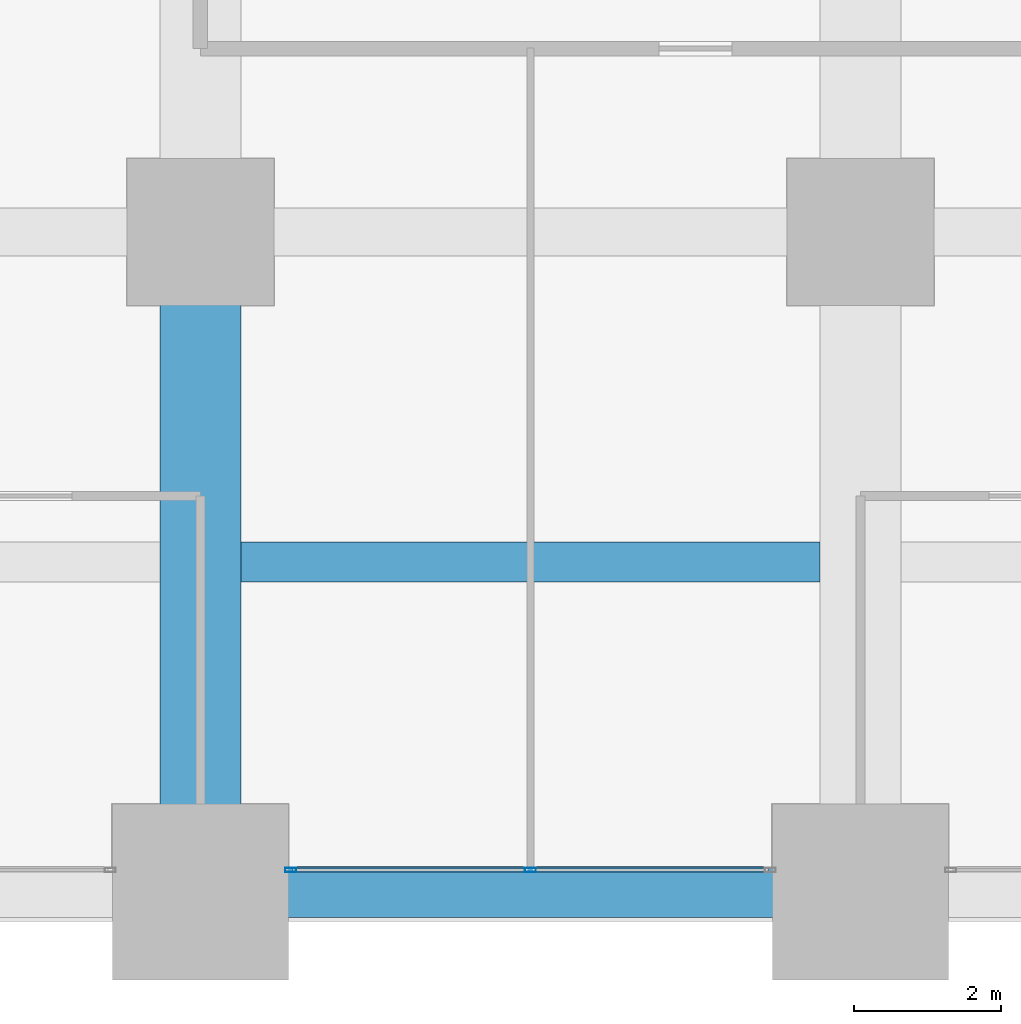
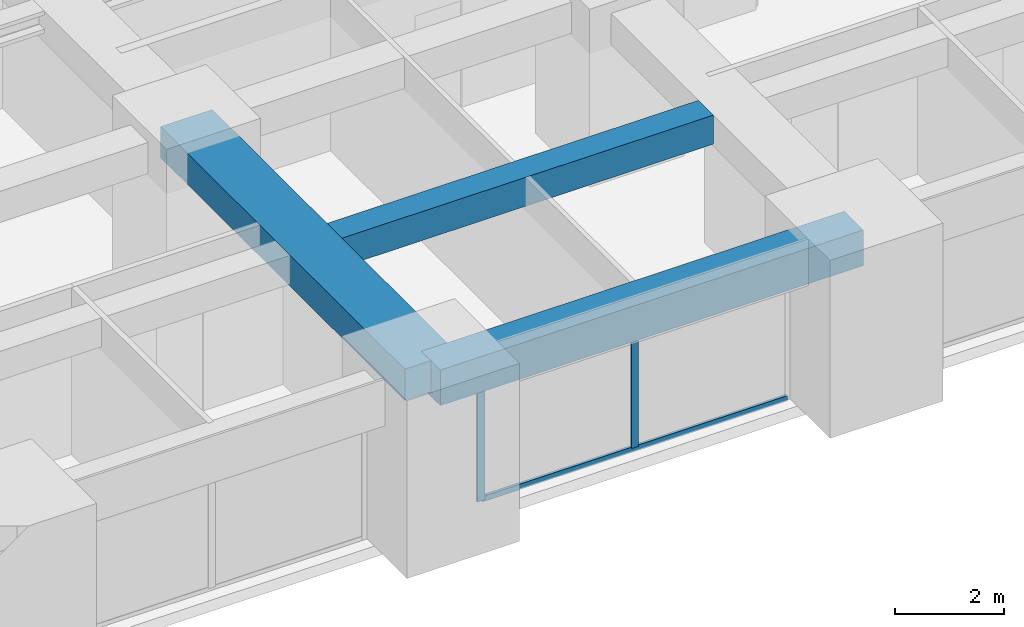
# One storey, part 7 of 41: 3 beams, 3 members, 1 element without a shape of its own.
"""IFC4 building model written with IfcOpenShell, lengths in metres."""

from ifc_helpers import new_model, si_unit, direction, frame, origin, origin_2d, place, context, subcontext, project, spatial, rectangle, hollow_rectangle, extrude, material, material_profile, profile_set, type_object, element, aggregate, save


model = new_model("IFC4")

# Units and contexts
model_context = context("Model", 3, precision=1e-05, world=origin(), true_north=direction((0.0, 1.0)))
body_context = subcontext(model_context, "Body", "Model", "MODEL_VIEW")
ifc_project = project(units=[si_unit("LENGTHUNIT", "METRE"), si_unit("AREAUNIT", "SQUARE_METRE"), si_unit("VOLUMEUNIT", "CUBIC_METRE"), si_unit("PLANEANGLEUNIT", "RADIAN"), si_unit("MASSUNIT", "GRAM", prefix="KILO")], contexts=[model_context])

# Site, building, storey
site_placement = place(None, origin())
site = spatial("IfcSite", under=ifc_project, at=site_placement, CompositionType="ELEMENT")
building_placement = place(site_placement, origin())
building = spatial("IfcBuilding", under=site, at=building_placement, Name="Zorevar Civic Tower", CompositionType="ELEMENT")
storey_placement = place(building_placement, frame((0.0, 0.0, 97.0)))
storey = spatial("IfcBuildingStorey", under=building, at=storey_placement, Name="L23", CompositionType="ELEMENT", Elevation=97.0)

# Beams
ifc_material_1 = material(Name="Concrete C50/60", Category="concrete")
ifc_material_profile_1 = material_profile(ifc_material_1, rectangle(XDim=1.10009765625, YDim=0.699951171875, at=origin_2d()), Name="RC 1100x700")
ifc_profile_set_1 = profile_set([ifc_material_profile_1], Name="Concrete C50/60")
beam_type_1 = type_object("IfcBeamType", Name="Beam RC 1100x700", PredefinedType="BEAM", material=ifc_profile_set_1)
beam_1_placement = place(storey_placement, frame((27.0, 0.0, 3.39990234375), z_axis=(0.0, 1.0, 0.0), x_axis=(-1.0, 0.0, 0.0)))
element("IfcBeam", 1, at=beam_1_placement, inside=storey, type_object=beam_type_1, Name="Girder L24", PredefinedType="BEAM", context=body_context, shape_type="SweptSolid", body=[
    extrude(rectangle(XDim=1.10009765625, YDim=0.699951171875, at=origin_2d()), origin(), (0.0, 0.0, 1.0), 9.0),
])
ifc_material_2 = material(Name="Concrete C50/60", Category="concrete")
ifc_material_profile_2 = material_profile(ifc_material_2, rectangle(XDim=0.550048828125, YDim=0.64990234375, at=origin_2d()), Name="RC 550x650")
ifc_profile_set_2 = profile_set([ifc_material_profile_2], Name="Concrete C50/60")
beam_type_2 = type_object("IfcBeamType", Name="Beam RC 550x650", PredefinedType="BEAM", material=ifc_profile_set_2)
beam_2_placement = place(storey_placement, frame((27.550048828125, 4.5, 3.425048828125), z_axis=(1.0, 0.0, 0.0), x_axis=(0.0, 1.0, 0.0)))
element("IfcBeam", 2, at=beam_2_placement, inside=storey, type_object=beam_type_2, Name="Secondary beam L24", PredefinedType="BEAM", context=body_context, shape_type="SweptSolid", body=[
    extrude(rectangle(XDim=0.550048828125, YDim=0.64990234375, at=origin_2d()), origin(), (0.0, 0.0, 1.0), 7.89990234375),
])

# Curtain wall, members
ifc_material_3 = material(Name="Dark grey solar-control glass in black aluminium frame", Category="aluminium")
curtain_wall_type = type_object("IfcCurtainWallType", Name="Curtain wall CW3 mid zone", PredefinedType="NOTDEFINED", material=ifc_material_3)
curtain_wall_placement = place(storey_placement, origin())
curtain_wall = element("IfcCurtainWall", 3, at=curtain_wall_placement, inside=storey, type_object=curtain_wall_type, Name="CW3 L23", PredefinedType="NOTDEFINED")
ifc_material_4 = material(Name="Aluminium, black anodised", Category="aluminium")
ifc_material_profile_3 = material_profile(ifc_material_4, hollow_rectangle(XDim=0.06005859375, YDim=0.14990234375, WallThickness=0.00390625, at=origin_2d()), Name="AL 150x60x4")
ifc_profile_set_3 = profile_set([ifc_material_profile_3], Name="Aluminium, black anodised")
member_type_1 = type_object("IfcMemberType", Name="CW3 mullion AL 150x60x4", PredefinedType="MULLION", material=ifc_profile_set_3)
member_1_placement = place(storey_placement, frame((28.22998046875, 0.300048828125, 0.0), z_axis=(0.0, 0.0, 1.0), x_axis=(0.0, 1.0, 0.0)))
member_1 = element("IfcMember", 4, at=member_1_placement, type_object=member_type_1, Name="CW3 mullion 1", PredefinedType="MULLION", context=body_context, shape_type="SweptSolid", body=[
    extrude(hollow_rectangle(XDim=0.06005859375, YDim=0.14990234375, WallThickness=0.00390625, at=origin_2d()), origin(), (0.0, 0.0, 1.0), 2.949951171875),
])
member_2_placement = place(storey_placement, frame((31.5, 0.300048828125, 0.06005859375), z_axis=(0.0, 0.0, 1.0), x_axis=(0.0, 1.0, 0.0)))
member_2 = element("IfcMember", 5, at=member_2_placement, type_object=member_type_1, Name="CW3 mullion 2", PredefinedType="MULLION", context=body_context, shape_type="SweptSolid", body=[
    extrude(hollow_rectangle(XDim=0.06005859375, YDim=0.14990234375, WallThickness=0.00390625, at=origin_2d()), origin(), (0.0, 0.0, 1.0), 2.889892578125),
])
ifc_material_5 = material(Name="Aluminium, black anodised", Category="aluminium")
ifc_material_profile_4 = material_profile(ifc_material_5, hollow_rectangle(XDim=0.06005859375, YDim=0.1201171875, WallThickness=0.0029296875, at=origin_2d()), Name="AL 120x60x3")
ifc_profile_set_4 = profile_set([ifc_material_profile_4], Name="Aluminium, black anodised")
member_type_2 = type_object("IfcMemberType", Name="CW3 transom AL 120x60x3", PredefinedType="USERDEFINED", material=ifc_profile_set_4)
member_3_placement = place(storey_placement, frame((28.260009765625, 0.300048828125, 0.030029296875), z_axis=(1.0, 0.0, 0.0), x_axis=(0.0, 1.0, 0.0)))
member_3 = element("IfcMember", 6, at=member_3_placement, type_object=member_type_2, Name="CW3 sill transom", ObjectType="TRANSOM", PredefinedType="USERDEFINED", context=body_context, shape_type="SweptSolid", body=[
    extrude(hollow_rectangle(XDim=0.06005859375, YDim=0.1201171875, WallThickness=0.0029296875, at=origin_2d()), origin(), (0.0, 0.0, 1.0), 6.47998046875),
])
aggregate(curtain_wall, [member_1, member_2, member_3])

# Beam
ifc_material_6 = material(Name="Concrete C50/60", Category="concrete")
ifc_material_profile_5 = material_profile(ifc_material_6, rectangle(XDim=0.699951171875, YDim=0.800048828125, at=origin_2d()), Name="RC 700x800")
ifc_profile_set_5 = profile_set([ifc_material_profile_5], Name="Concrete C50/60")
beam_type_3 = type_object("IfcBeamType", Name="Edge beam RC 700x800", PredefinedType="SPANDREL", material=ifc_profile_set_5)
beam_3_placement = place(storey_placement, frame((27.0, 0.0, 3.35009765625), z_axis=(1.0, 0.0, 0.0), x_axis=(0.0, 1.0, 0.0)))
element("IfcBeam", 7, at=beam_3_placement, inside=storey, type_object=beam_type_3, Name="Edge beam L24", PredefinedType="SPANDREL", context=body_context, shape_type="SweptSolid", body=[
    extrude(rectangle(XDim=0.699951171875, YDim=0.800048828125, at=origin_2d()), origin(), (0.0, 0.0, 1.0), 9.0),
])

save(model, "model.ifc")
